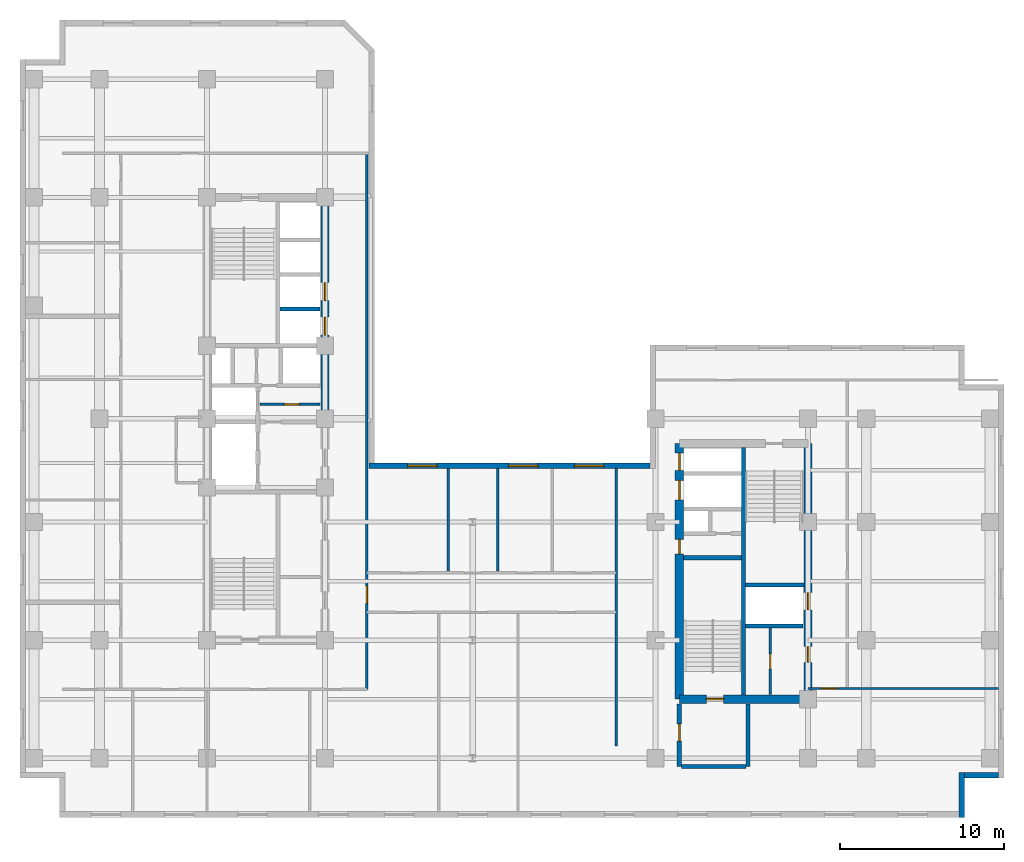
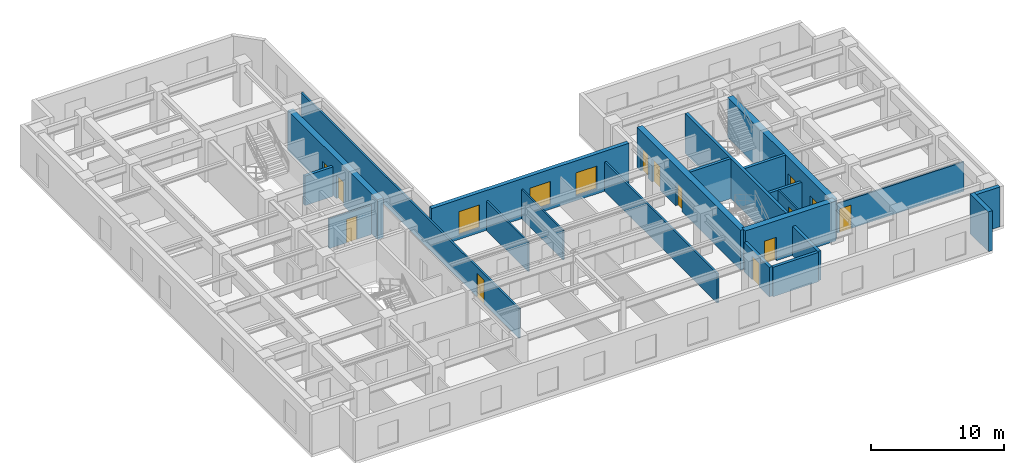
# One storey, part 5 of 10: 22 walls, 13 doors, 3 windows, 16 openings.
"""IFC4 building model written with IfcOpenShell, lengths in metres."""

from ifc_helpers import new_model, entity, si_unit, converted_unit, direction, frame, origin_with_axes, origin_2d_with_axis, place, context, subcontext, project, spatial, polyline, rectangle, outline, extrude, material, layer, layer_set, type_object, element, fill, save


model = new_model("IFC4")

# Units and contexts
model_context = context("Model", 3, precision=1e-05, world=origin_with_axes(), true_north=direction((0.0, 1.0)))
body_context = subcontext(model_context, "Body", "Model", "MODEL_VIEW")
ifc_project = project(units=[si_unit("LENGTHUNIT", "METRE"), si_unit("AREAUNIT", "SQUARE_METRE"), si_unit("VOLUMEUNIT", "CUBIC_METRE"), converted_unit("PLANEANGLEUNIT", "DEGREE", entity("IfcPlaneAngleMeasure", 0.017453292519943295), si_unit("PLANEANGLEUNIT", "RADIAN"), dimensions=[0, 0, 0, 0, 0, 0, 0]), si_unit("MASSUNIT", "GRAM", prefix="KILO"), si_unit("THERMODYNAMICTEMPERATUREUNIT", "KELVIN")], contexts=[model_context])

# Site, building, storey
site_placement = place(None, origin_with_axes())
site = spatial("IfcSite", under=ifc_project, at=site_placement, CompositionType="ELEMENT")
building_placement = place(site_placement, origin_with_axes())
building = spatial("IfcBuilding", under=site, at=building_placement, Name="Varnlund Millrace Tower", CompositionType="ELEMENT")
storey_placement = place(building_placement, frame((0.0, 0.0, 129.0), z_axis=(0.0, 0.0, 1.0), x_axis=(1.0, 0.0, 0.0)))
storey = spatial("IfcBuildingStorey", under=building, at=storey_placement, Name="L31", CompositionType="ELEMENT", Elevation=129.0)

# Wall, openings, doors
ifc_material_1 = material(Name="Concrete C70/85", Category="concrete")
ifc_layer_1 = layer(ifc_material_1, 0.5, Name="Concrete C70/85")
ifc_layer_set_1 = layer_set([ifc_layer_1], Name="Concrete C70/85")
wall_type_1 = type_object("IfcWallType", Name="Type-CoreWall-Shear-500-C70", PredefinedType="SHEAR", material=ifc_layer_set_1)
wall_1_placement = place(storey_placement, frame((18.6, 24.3, 0.0), z_axis=(0.0, 0.0, 1.0), x_axis=(0.0, 1.0, 0.0)))
wall_1 = element("IfcWall", 1, at=wall_1_placement, inside=storey, type_object=wall_type_1, Name="Type-CoreWall-Shear-500-C70", PredefinedType="SHEAR", context=body_context, shape_type="SweptSolid", body=[
    extrude(outline(polyline([(0.0, -0.25), (13.5, -0.25), (13.5, 0.25), (0.0, 0.25), (0.0, -0.25)])), origin_with_axes(), (0.0, 0.0, 1.0), 3.66),
])
opening_1_placement = place(wall_1_placement, frame((5.65, 0.0, 0.0), z_axis=(0.0, 0.0, 1.0), x_axis=(1.0, 0.0, 0.0)))
opening_1 = element("IfcOpeningElement", 2, at=opening_1_placement, cuts=wall_1, Name="Opening L31:LD-ELV-M1", PredefinedType="OPENING", context=body_context, shape_type="SweptSolid", body=[
    extrude(rectangle(XDim=1.1, YDim=0.52, at=origin_2d_with_axis()), origin_with_axes(), (0.0, 0.0, 1.0), 2.15),
])
opening_2_placement = place(wall_1_placement, frame((7.75, 0.0, 0.0), z_axis=(0.0, 0.0, 1.0), x_axis=(1.0, 0.0, 0.0)))
opening_2 = element("IfcOpeningElement", 3, at=opening_2_placement, cuts=wall_1, Name="Opening L31:LD-ELV-M2", PredefinedType="OPENING", context=body_context, shape_type="SweptSolid", body=[
    extrude(rectangle(XDim=1.1, YDim=0.52, at=origin_2d_with_axis()), origin_with_axes(), (0.0, 0.0, 1.0), 2.15),
])
ifc_material_2 = material(Name="Stainless and architectural bronze sliding landing door")
door_type_1 = type_object("IfcDoorType", Name="Type-LiftLandingDoor-1100X2150", OperationType="NOTDEFINED", PredefinedType="DOOR", material=ifc_material_2)
door_1_placement = place(wall_1_placement, frame((5.65, 0.0, 0.0), z_axis=(0.0, 0.0, 1.0), x_axis=(1.0, 0.0, 0.0)))
door_1 = element("IfcDoor", 4, at=door_1_placement, inside=storey, type_object=door_type_1, Name="Type-LiftLandingDoor-1100X2150", OperationType="SLIDING_TO_LEFT", OverallHeight=2.15, OverallWidth=1.1, PredefinedType="DOOR", context=body_context, shape_type="SweptSolid", body=[
    extrude(rectangle(XDim=1.1, YDim=0.09, at=origin_2d_with_axis()), origin_with_axes(), (0.0, 0.0, 1.0), 2.15),
])
fill(opening_1, door_1)
door_2_placement = place(wall_1_placement, frame((7.75, 0.0, 0.0), z_axis=(0.0, 0.0, 1.0), x_axis=(1.0, 0.0, 0.0)))
door_2 = element("IfcDoor", 5, at=door_2_placement, inside=storey, type_object=door_type_1, Name="Type-LiftLandingDoor-1100X2150", OperationType="SLIDING_TO_RIGHT", OverallHeight=2.15, OverallWidth=1.1, PredefinedType="DOOR", context=body_context, shape_type="SweptSolid", body=[
    extrude(rectangle(XDim=1.1, YDim=0.09, at=origin_2d_with_axis()), origin_with_axes(), (0.0, 0.0, 1.0), 2.15),
])
fill(opening_2, door_2)

wall_2_placement = place(storey_placement, frame((40.2, 7.2, 0.0), z_axis=(0.0, 0.0, 1.0), x_axis=(0.0, 1.0, 0.0)))
wall_2 = element("IfcWall", 6, at=wall_2_placement, inside=storey, type_object=wall_type_1, Name="Type-CoreWall-Shear-500-C70", PredefinedType="SHEAR", context=body_context, shape_type="SweptSolid", body=[
    extrude(outline(polyline([(0.0, -0.25), (15.6, -0.25), (15.6, 0.25), (0.0, 0.25), (0.0, -0.25)])), origin_with_axes(), (0.0, 0.0, 1.0), 3.66),
])
opening_3_placement = place(wall_2_placement, frame((14.475, 0.0, 0.0), z_axis=(0.0, 0.0, 1.0), x_axis=(1.0, 0.0, 0.0)))
opening_3 = element("IfcOpeningElement", 7, at=opening_3_placement, cuts=wall_2, Name="Opening L31:LD-ELV-M4", PredefinedType="OPENING", context=body_context, shape_type="SweptSolid", body=[
    extrude(rectangle(XDim=1.05, YDim=0.52, at=origin_2d_with_axis()), origin_with_axes(), (0.0, 0.0, 1.0), 2.15),
])
opening_4_placement = place(wall_2_placement, frame((12.75, 0.0, 0.0), z_axis=(0.0, 0.0, 1.0), x_axis=(1.0, 0.0, 0.0)))
opening_4 = element("IfcOpeningElement", 8, at=opening_4_placement, cuts=wall_2, Name="Opening L31:LD-SRV2", PredefinedType="OPENING", context=body_context, shape_type="SweptSolid", body=[
    extrude(rectangle(XDim=1.2, YDim=0.52, at=origin_2d_with_axis()), origin_with_axes(), (0.0, 0.0, 1.0), 2.15),
])
opening_5_placement = place(wall_2_placement, frame((9.3, 0.0, 0.0), z_axis=(0.0, 0.0, 1.0), x_axis=(1.0, 0.0, 0.0)))
opening_5 = element("IfcOpeningElement", 9, at=opening_5_placement, cuts=wall_2, Name="Opening L31:DR-CB-JAN", PredefinedType="OPENING", context=body_context, shape_type="SweptSolid", body=[
    extrude(rectangle(XDim=0.9, YDim=0.52, at=origin_2d_with_axis()), origin_with_axes(), (0.0, 0.0, 1.0), 2.15),
])
ifc_material_3 = material(Name="Fire-rated hollow steel service closet door", Category="steel")
door_type_2 = type_object("IfcDoorType", Name="Type-FireDoor-Closet-900X2150", OperationType="NOTDEFINED", PredefinedType="DOOR", material=ifc_material_3)
door_3_placement = place(wall_2_placement, frame((9.3, 0.0, 0.0), z_axis=(0.0, 0.0, 1.0), x_axis=(1.0, 0.0, 0.0)))
door_3 = element("IfcDoor", 10, at=door_3_placement, inside=storey, type_object=door_type_2, Name="Type-FireDoor-Closet-900X2150", OperationType="SINGLE_SWING_RIGHT", OverallHeight=2.15, OverallWidth=0.9, PredefinedType="DOOR", context=body_context, shape_type="SweptSolid", body=[
    extrude(rectangle(XDim=0.9, YDim=0.09, at=origin_2d_with_axis()), origin_with_axes(), (0.0, 0.0, 1.0), 2.15),
])
fill(opening_5, door_3)
ifc_material_4 = material(Name="Architectural bronze sliding landing door")
door_type_3 = type_object("IfcDoorType", Name="Type-LiftLandingDoor-Compact-1050X2150", OperationType="NOTDEFINED", PredefinedType="DOOR", material=ifc_material_4)
door_4_placement = place(wall_2_placement, frame((14.475, 0.0, 0.0), z_axis=(0.0, 0.0, 1.0), x_axis=(1.0, 0.0, 0.0)))
door_4 = element("IfcDoor", 11, at=door_4_placement, inside=storey, type_object=door_type_3, Name="Type-LiftLandingDoor-Compact-1050X2150", OperationType="SLIDING_TO_RIGHT", OverallHeight=2.15, OverallWidth=1.05, PredefinedType="DOOR", context=body_context, shape_type="SweptSolid", body=[
    extrude(rectangle(XDim=1.05, YDim=0.09, at=origin_2d_with_axis()), origin_with_axes(), (0.0, 0.0, 1.0), 2.15),
])
fill(opening_3, door_4)
ifc_material_5 = material(Name="Heavy-duty freight sliding landing door")
door_type_4 = type_object("IfcDoorType", Name="Type-LiftLandingDoor-Service-1200X2150", OperationType="NOTDEFINED", PredefinedType="DOOR", material=ifc_material_5)
door_5_placement = place(wall_2_placement, frame((12.75, 0.0, 0.0), z_axis=(0.0, 0.0, 1.0), x_axis=(1.0, 0.0, 0.0)))
door_5 = element("IfcDoor", 12, at=door_5_placement, inside=storey, type_object=door_type_4, Name="Type-LiftLandingDoor-Service-1200X2150", OperationType="DOUBLE_DOOR_SLIDING", OverallHeight=2.15, OverallWidth=1.2, PredefinedType="DOOR", context=body_context, shape_type="SweptSolid", body=[
    extrude(rectangle(XDim=1.2, YDim=0.09, at=origin_2d_with_axis()), origin_with_axes(), (0.0, 0.0, 1.0), 2.15),
])
fill(opening_4, door_5)

# Wall, opening, door
wall_3_placement = place(storey_placement, frame((40.2, 7.2, 0.0), z_axis=(0.0, 0.0, 1.0), x_axis=(1.0, 0.0, 0.0)))
wall_3 = element("IfcWall", 13, at=wall_3_placement, inside=storey, type_object=wall_type_1, Name="Type-CoreWall-Shear-500-C70", PredefinedType="SHEAR", context=body_context, shape_type="SweptSolid", body=[
    extrude(outline(polyline([(0.0, -0.25), (7.85, -0.25), (7.85, 0.25), (0.0, 0.25), (0.0, -0.25)])), origin_with_axes(), (0.0, 0.0, 1.0), 3.66),
])
opening_6_placement = place(wall_3_placement, frame((2.175, 0.0, 0.0), z_axis=(0.0, 0.0, 1.0), x_axis=(1.0, 0.0, 0.0)))
opening_6 = element("IfcOpeningElement", 14, at=opening_6_placement, cuts=wall_3, Name="Opening L31:DR-STB1", PredefinedType="OPENING", context=body_context, shape_type="SweptSolid", body=[
    extrude(rectangle(XDim=1.05, YDim=0.52, at=origin_2d_with_axis()), origin_with_axes(), (0.0, 0.0, 1.0), 2.15),
])
ifc_material_6 = material(Name="Fire-rated hollow steel door", Category="steel")
door_type_5 = type_object("IfcDoorType", Name="Type-FireDoor-Stair-1050X2150", OperationType="NOTDEFINED", PredefinedType="DOOR", material=ifc_material_6)
door_6_placement = place(wall_3_placement, frame((2.175, 0.0, 0.0), z_axis=(0.0, 0.0, 1.0), x_axis=(1.0, 0.0, 0.0)))
door_6 = element("IfcDoor", 15, at=door_6_placement, inside=storey, type_object=door_type_5, Name="Type-FireDoor-Stair-1050X2150", OperationType="SINGLE_SWING_LEFT", OverallHeight=2.15, OverallWidth=1.05, PredefinedType="DOOR", context=body_context, shape_type="SweptSolid", body=[
    extrude(rectangle(XDim=1.05, YDim=0.09, at=origin_2d_with_axis()), origin_with_axes(), (0.0, 0.0, 1.0), 2.15),
])
fill(opening_6, door_6)

# Wall, openings, doors
wall_4_placement = place(storey_placement, frame((48.05, 7.2, 0.0), z_axis=(0.0, 0.0, 1.0), x_axis=(0.0, 1.0, 0.0)))
wall_4 = element("IfcWall", 16, at=wall_4_placement, inside=storey, type_object=wall_type_1, Name="Type-CoreWall-Shear-500-C70", PredefinedType="SHEAR", context=body_context, shape_type="SweptSolid", body=[
    extrude(outline(polyline([(0.0, -0.25), (15.6, -0.25), (15.6, 0.25), (0.0, 0.25), (0.0, -0.25)])), origin_with_axes(), (0.0, 0.0, 1.0), 3.66),
])
opening_7_placement = place(wall_4_placement, frame((5.975, 0.0, 0.0), z_axis=(0.0, 0.0, 1.0), x_axis=(1.0, 0.0, 0.0)))
opening_7 = element("IfcOpeningElement", 17, at=opening_7_placement, cuts=wall_4, Name="Opening L31:LD-ELV-M3", PredefinedType="OPENING", context=body_context, shape_type="SweptSolid", body=[
    extrude(rectangle(XDim=1.05, YDim=0.52, at=origin_2d_with_axis()), origin_with_axes(), (0.0, 0.0, 1.0), 2.15),
])
opening_8_placement = place(wall_4_placement, frame((2.725, 0.0, 0.0), z_axis=(0.0, 0.0, 1.0), x_axis=(1.0, 0.0, 0.0)))
opening_8 = element("IfcOpeningElement", 18, at=opening_8_placement, cuts=wall_4, Name="Opening L31:DR-CB-WC2", PredefinedType="OPENING", context=body_context, shape_type="SweptSolid", body=[
    extrude(rectangle(XDim=0.95, YDim=0.52, at=origin_2d_with_axis()), origin_with_axes(), (0.0, 0.0, 1.0), 2.15),
])
ifc_material_7 = material(Name="Fire-rated hollow steel core service door", Category="steel")
door_type_6 = type_object("IfcDoorType", Name="Type-FireDoor-Service-950X2150", OperationType="NOTDEFINED", PredefinedType="DOOR", material=ifc_material_7)
door_7_placement = place(wall_4_placement, frame((2.725, 0.0, 0.0), z_axis=(0.0, 0.0, 1.0), x_axis=(1.0, 0.0, 0.0)))
door_7 = element("IfcDoor", 19, at=door_7_placement, inside=storey, type_object=door_type_6, Name="Type-FireDoor-Service-950X2150", OperationType="SINGLE_SWING_LEFT", OverallHeight=2.15, OverallWidth=0.95, PredefinedType="DOOR", context=body_context, shape_type="SweptSolid", body=[
    extrude(rectangle(XDim=0.95, YDim=0.09, at=origin_2d_with_axis()), origin_with_axes(), (0.0, 0.0, 1.0), 2.15),
])
fill(opening_8, door_7)
door_8_placement = place(wall_4_placement, frame((5.975, 0.0, 0.0), z_axis=(0.0, 0.0, 1.0), x_axis=(1.0, 0.0, 0.0)))
door_8 = element("IfcDoor", 20, at=door_8_placement, inside=storey, type_object=door_type_3, Name="Type-LiftLandingDoor-Compact-1050X2150", OperationType="SLIDING_TO_LEFT", OverallHeight=2.15, OverallWidth=1.05, PredefinedType="DOOR", context=body_context, shape_type="SweptSolid", body=[
    extrude(rectangle(XDim=1.05, YDim=0.09, at=origin_2d_with_axis()), origin_with_axes(), (0.0, 0.0, 1.0), 2.15),
])
fill(opening_7, door_8)

# Walls
ifc_material_8 = material(Name="Precast concrete C50/60", Category="concrete")
ifc_layer_2 = layer(ifc_material_8, 0.34, Name="Precast concrete C50/60")
ifc_layer_set_2 = layer_set([ifc_layer_2], Name="Precast concrete C50/60")
wall_type_2 = type_object("IfcWallType", Name="Type-ExtWall-Precast-Upper-340", PredefinedType="SOLIDWALL", material=ifc_layer_set_2)
wall_5_placement = place(storey_placement, frame((59.66, 2.57, 0.0), z_axis=(0.0, 0.0, 1.0), x_axis=(-1.0, 0.0, 0.0)))
element("IfcWall", 21, at=wall_5_placement, inside=storey, type_object=wall_type_2, Name="Type-ExtWall-Precast-Upper-340", PredefinedType="SOLIDWALL", context=body_context, shape_type="SweptSolid", body=[
    extrude(outline(polyline([(0.0, -0.17), (2.06, -0.17), (2.06, 0.17), (0.0, 0.17), (0.0, -0.17)])), origin_with_axes(), (0.0, 0.0, 1.0), 3.66),
])
wall_6_placement = place(storey_placement, frame((57.43, 2.74, 0.0), z_axis=(0.0, 0.0, 1.0), x_axis=(0.0, -1.0, 0.0)))
element("IfcWall", 22, at=wall_6_placement, inside=storey, type_object=wall_type_2, Name="Type-ExtWall-Precast-Upper-340", PredefinedType="SOLIDWALL", context=body_context, shape_type="SweptSolid", body=[
    extrude(outline(polyline([(0.0, -0.17), (2.74, -0.17), (2.74, 0.17), (0.0, 0.17), (0.0, -0.17)])), origin_with_axes(), (0.0, 0.0, 1.0), 3.66),
])

# Wall, openings, windows
wall_7_placement = place(storey_placement, frame((21.288, 21.43, 0.0), z_axis=(0.0, 0.0, 1.0), x_axis=(1.0, 0.0, 0.0)))
wall_7 = element("IfcWall", 23, at=wall_7_placement, inside=storey, type_object=wall_type_2, Name="Type-ExtWall-Precast-Upper-340", PredefinedType="SOLIDWALL", context=body_context, shape_type="SweptSolid", body=[
    extrude(outline(polyline([(0.0, -0.17), (17.112, -0.17), (17.112, 0.17), (0.0, 0.17), (0.0, -0.17)])), origin_with_axes(), (0.0, 0.0, 1.0), 3.66),
])
opening_9_placement = place(wall_7_placement, frame((3.252, 0.0, 0.45), z_axis=(0.0, 0.0, 1.0), x_axis=(1.0, 0.0, 0.0)))
opening_9 = element("IfcOpeningElement", 24, at=opening_9_placement, cuts=wall_7, Name="Opening L31:WN-30", PredefinedType="OPENING", context=body_context, shape_type="SweptSolid", body=[
    extrude(rectangle(XDim=1.8, YDim=0.36, at=origin_2d_with_axis()), origin_with_axes(), (0.0, 0.0, 1.0), 2.1),
])
opening_10_placement = place(wall_7_placement, frame((9.406, 0.0, 0.45), z_axis=(0.0, 0.0, 1.0), x_axis=(1.0, 0.0, 0.0)))
opening_10 = element("IfcOpeningElement", 25, at=opening_10_placement, cuts=wall_7, Name="Opening L31:WN-31", PredefinedType="OPENING", context=body_context, shape_type="SweptSolid", body=[
    extrude(rectangle(XDim=1.8, YDim=0.36, at=origin_2d_with_axis()), origin_with_axes(), (0.0, 0.0, 1.0), 2.1),
])
opening_11_placement = place(wall_7_placement, frame((13.41, 0.0, 0.45), z_axis=(0.0, 0.0, 1.0), x_axis=(1.0, 0.0, 0.0)))
opening_11 = element("IfcOpeningElement", 26, at=opening_11_placement, cuts=wall_7, Name="Opening L31:WN-32", PredefinedType="OPENING", context=body_context, shape_type="SweptSolid", body=[
    extrude(rectangle(XDim=1.8, YDim=0.36, at=origin_2d_with_axis()), origin_with_axes(), (0.0, 0.0, 1.0), 2.1),
])
ifc_material_9 = material(Name="Argon low-e triple glazing in thermally broken bronze frame", Category="glass")
window_type = type_object("IfcWindowType", Name="Type-Window-Punched-1800X2100", PartitioningType="SINGLE_PANEL", PredefinedType="WINDOW", material=ifc_material_9)
window_1_placement = place(wall_7_placement, frame((3.252, 0.0, 0.45), z_axis=(0.0, 0.0, 1.0), x_axis=(1.0, 0.0, 0.0)))
window_1 = element("IfcWindow", 27, at=window_1_placement, inside=storey, type_object=window_type, Name="Type-Window-Punched-1800X2100", OverallHeight=2.1, OverallWidth=1.8, PredefinedType="WINDOW", context=body_context, shape_type="SweptSolid", body=[
    extrude(rectangle(XDim=1.8, YDim=0.09, at=origin_2d_with_axis()), origin_with_axes(), (0.0, 0.0, 1.0), 2.1),
])
fill(opening_9, window_1)
window_2_placement = place(wall_7_placement, frame((9.406, 0.0, 0.45), z_axis=(0.0, 0.0, 1.0), x_axis=(1.0, 0.0, 0.0)))
window_2 = element("IfcWindow", 28, at=window_2_placement, inside=storey, type_object=window_type, Name="Type-Window-Punched-1800X2100", OverallHeight=2.1, OverallWidth=1.8, PredefinedType="WINDOW", context=body_context, shape_type="SweptSolid", body=[
    extrude(rectangle(XDim=1.8, YDim=0.09, at=origin_2d_with_axis()), origin_with_axes(), (0.0, 0.0, 1.0), 2.1),
])
fill(opening_10, window_2)
window_3_placement = place(wall_7_placement, frame((13.41, 0.0, 0.45), z_axis=(0.0, 0.0, 1.0), x_axis=(1.0, 0.0, 0.0)))
window_3 = element("IfcWindow", 29, at=window_3_placement, inside=storey, type_object=window_type, Name="Type-Window-Punched-1800X2100", OverallHeight=2.1, OverallWidth=1.8, PredefinedType="WINDOW", context=body_context, shape_type="SweptSolid", body=[
    extrude(rectangle(XDim=1.8, YDim=0.09, at=origin_2d_with_axis()), origin_with_axes(), (0.0, 0.0, 1.0), 2.1),
])
fill(opening_11, window_3)

# Wall, opening, door
ifc_material_10 = material(Name="Fire-rated gypsum board on cold-formed steel framing", Category="steel")
ifc_layer_3 = layer(ifc_material_10, 0.16, Name="Fire-rated gypsum board on cold-formed steel framing")
ifc_layer_set_3 = layer_set([ifc_layer_3], Name="Fire-rated gypsum board on cold-formed steel framing")
wall_type_3 = type_object("IfcWallType", Name="Type-Partition-Corridor-160", PredefinedType="PARTITIONING", material=ifc_layer_set_3)
wall_8_placement = place(storey_placement, frame((14.62, 25.18, 0.0), z_axis=(0.0, 0.0, 1.0), x_axis=(1.0, 0.0, 0.0)))
wall_8 = element("IfcWall", 30, at=wall_8_placement, inside=storey, type_object=wall_type_3, Name="Type-Partition-Corridor-160", PredefinedType="PARTITIONING", context=body_context, shape_type="SweptSolid", body=[
    extrude(outline(polyline([(0.0, -0.08), (3.68, -0.08), (3.68, 0.08), (0.0, 0.08), (0.0, -0.08)])), origin_with_axes(), (0.0, 0.0, 1.0), 2.7),
])
opening_12_placement = place(wall_8_placement, frame((1.95, 0.0, 0.0), z_axis=(0.0, 0.0, 1.0), x_axis=(1.0, 0.0, 0.0)))
opening_12 = element("IfcOpeningElement", 31, at=opening_12_placement, cuts=wall_8, Name="Opening L31:DR-CA-SUB2", PredefinedType="OPENING", context=body_context, shape_type="SweptSolid", body=[
    extrude(rectangle(XDim=0.9, YDim=0.18, at=origin_2d_with_axis()), origin_with_axes(), (0.0, 0.0, 1.0), 2.15),
])
ifc_material_11 = material(Name="Painted steel riser and closet door", Category="steel")
door_type_7 = type_object("IfcDoorType", Name="Type-IntDoor-Closet-900X2150", OperationType="NOTDEFINED", PredefinedType="DOOR", material=ifc_material_11)
door_9_placement = place(wall_8_placement, frame((1.95, 0.0, 0.0), z_axis=(0.0, 0.0, 1.0), x_axis=(1.0, 0.0, 0.0)))
door_9 = element("IfcDoor", 32, at=door_9_placement, inside=storey, type_object=door_type_7, Name="Type-IntDoor-Closet-900X2150", OperationType="SINGLE_SWING_LEFT", OverallHeight=2.15, OverallWidth=0.9, PredefinedType="DOOR", context=body_context, shape_type="SweptSolid", body=[
    extrude(rectangle(XDim=0.9, YDim=0.09, at=origin_2d_with_axis()), origin_with_axes(), (0.0, 0.0, 1.0), 2.15),
])
fill(opening_12, door_9)

wall_9_placement = place(storey_placement, frame((21.15, 7.8, 0.0), z_axis=(0.0, 0.0, 1.0), x_axis=(0.0, 1.0, 0.0)))
wall_9 = element("IfcWall", 33, at=wall_9_placement, inside=storey, type_object=wall_type_3, Name="Type-Partition-Corridor-160", PredefinedType="PARTITIONING", context=body_context, shape_type="SweptSolid", body=[
    extrude(outline(polyline([(0.0, -0.08), (32.7, -0.08), (32.7, 0.08), (0.0, 0.08), (0.0, -0.08)])), origin_with_axes(), (0.0, 0.0, 1.0), 2.7),
])
opening_13_placement = place(wall_9_placement, frame((5.775, 0.0, 0.0), z_axis=(0.0, 0.0, 1.0), x_axis=(1.0, 0.0, 0.0)))
opening_13 = element("IfcOpeningElement", 34, at=opening_13_placement, cuts=wall_9, Name="Opening L31:DR-KN-W", PredefinedType="OPENING", context=body_context, shape_type="SweptSolid", body=[
    extrude(rectangle(XDim=1.05, YDim=0.18, at=origin_2d_with_axis()), origin_with_axes(), (0.0, 0.0, 1.0), 2.15),
])
ifc_material_12 = material(Name="Smoke-barrier hollow steel fire door", Category="steel")
door_type_8 = type_object("IfcDoorType", Name="Type-FireDoor-Lobby-1050X2150", OperationType="NOTDEFINED", PredefinedType="DOOR", material=ifc_material_12)
door_10_placement = place(wall_9_placement, frame((5.775, 0.0, 0.0), z_axis=(0.0, 0.0, 1.0), x_axis=(1.0, 0.0, 0.0)))
door_10 = element("IfcDoor", 35, at=door_10_placement, inside=storey, type_object=door_type_8, Name="Type-FireDoor-Lobby-1050X2150", OperationType="SINGLE_SWING_LEFT", OverallHeight=2.15, OverallWidth=1.05, PredefinedType="DOOR", context=body_context, shape_type="SweptSolid", body=[
    extrude(rectangle(XDim=1.05, YDim=0.09, at=origin_2d_with_axis()), origin_with_axes(), (0.0, 0.0, 1.0), 2.15),
])
fill(opening_13, door_10)

# Walls
wall_10_placement = place(storey_placement, frame((36.35, 4.35, 0.0), z_axis=(0.0, 0.0, 1.0), x_axis=(0.0, 1.0, 0.0)))
element("IfcWall", 36, at=wall_10_placement, inside=storey, type_object=wall_type_3, Name="Type-Partition-Corridor-160", PredefinedType="PARTITIONING", context=body_context, shape_type="SweptSolid", body=[
    extrude(outline(polyline([(0.0, -0.08), (16.95, -0.08), (16.95, 0.08), (0.0, 0.08), (0.0, -0.08)])), origin_with_axes(), (0.0, 0.0, 1.0), 2.7),
])
ifc_material_13 = material(Name="Acoustic STC-50 gypsum board partition", Category="gypsum")
ifc_layer_4 = layer(ifc_material_13, 0.15, Name="Acoustic STC-50 gypsum board partition")
ifc_layer_set_4 = layer_set([ifc_layer_4], Name="Acoustic STC-50 gypsum board partition")
wall_type_4 = type_object("IfcWallType", Name="Type-Partition-Demising-150", PredefinedType="PARTITIONING", material=ifc_layer_set_4)
wall_11_placement = place(storey_placement, frame((26.099, 15.02, 0.0), z_axis=(0.0, 0.0, 1.0), x_axis=(0.0, 1.0, 0.0)))
element("IfcWall", 37, at=wall_11_placement, inside=storey, type_object=wall_type_4, Name="Type-Partition-Demising-150", PredefinedType="PARTITIONING", context=body_context, shape_type="SweptSolid", body=[
    extrude(outline(polyline([(0.0, -0.075), (6.245, -0.075), (6.245, 0.075), (0.0, 0.075), (0.0, -0.075)])), origin_with_axes(), (0.0, 0.0, 1.0), 2.7),
])
ifc_material_14 = material(Name="Gypsum board tenant partition", Category="gypsum")
ifc_layer_5 = layer(ifc_material_14, 0.125, Name="Gypsum board tenant partition")
ifc_layer_set_5 = layer_set([ifc_layer_5], Name="Gypsum board tenant partition")
wall_type_5 = type_object("IfcWallType", Name="Type-Partition-Tenant-125", PredefinedType="PARTITIONING", material=ifc_layer_set_5)
wall_12_placement = place(storey_placement, frame((29.132, 15.02, 0.0), z_axis=(0.0, 0.0, 1.0), x_axis=(0.0, 1.0, 0.0)))
element("IfcWall", 38, at=wall_12_placement, inside=storey, type_object=wall_type_5, Name="Type-Partition-Tenant-125", PredefinedType="PARTITIONING", context=body_context, shape_type="SweptSolid", body=[
    extrude(outline(polyline([(0.0, -0.0625), (6.245, -0.0625), (6.245, 0.0625), (0.0, 0.0625), (0.0, -0.0625)])), origin_with_axes(), (0.0, 0.0, 1.0), 2.7),
])

# Wall, opening, door
wall_13_placement = place(storey_placement, frame((59.665, 7.85, 0.0), z_axis=(0.0, 0.0, 1.0), x_axis=(-1.0, 0.0, 0.0)))
wall_13 = element("IfcWall", 39, at=wall_13_placement, inside=storey, type_object=wall_type_5, Name="Type-Partition-Tenant-125", PredefinedType="PARTITIONING", context=body_context, shape_type="SweptSolid", body=[
    extrude(outline(polyline([(0.0, -0.0625), (11.615, -0.0625), (11.615, 0.0625), (0.0, 0.0625), (0.0, -0.0625)])), origin_with_axes(), (0.0, 0.0, 1.0), 2.7),
])
opening_14_placement = place(wall_13_placement, frame((10.315, 0.0, 0.0), z_axis=(0.0, 0.0, 1.0), x_axis=(1.0, 0.0, 0.0)))
opening_14 = element("IfcOpeningElement", 40, at=opening_14_placement, cuts=wall_13, Name="Opening L31:DR-WBS-01", PredefinedType="OPENING", context=body_context, shape_type="SweptSolid", body=[
    extrude(rectangle(XDim=1.0, YDim=0.145, at=origin_2d_with_axis()), origin_with_axes(), (0.0, 0.0, 1.0), 2.15),
])
ifc_material_15 = material(Name="Solid-core white oak and bronze frame door")
door_type_9 = type_object("IfcDoorType", Name="Type-IntDoor-Office-1000X2150", OperationType="NOTDEFINED", PredefinedType="DOOR", material=ifc_material_15)
door_11_placement = place(wall_13_placement, frame((10.315, 0.0, 0.0), z_axis=(0.0, 0.0, 1.0), x_axis=(1.0, 0.0, 0.0)))
door_11 = element("IfcDoor", 41, at=door_11_placement, inside=storey, type_object=door_type_9, Name="Type-IntDoor-Office-1000X2150", OperationType="SINGLE_SWING_LEFT", OverallHeight=2.15, OverallWidth=1.0, PredefinedType="DOOR", context=body_context, shape_type="SweptSolid", body=[
    extrude(rectangle(XDim=1.0, YDim=0.075, at=origin_2d_with_axis()), origin_with_axes(), (0.0, 0.0, 1.0), 2.15),
])
fill(opening_14, door_11)

ifc_material_16 = material(Name="Moisture-resistant gypsum restroom partition", Category="gypsum")
ifc_layer_6 = layer(ifc_material_16, 0.14, Name="Moisture-resistant gypsum restroom partition")
ifc_layer_set_6 = layer_set([ifc_layer_6], Name="Moisture-resistant gypsum restroom partition")
wall_type_6 = type_object("IfcWallType", Name="Type-Partition-Wet-140", PredefinedType="PARTITIONING", material=ifc_layer_set_6)
wall_14_placement = place(storey_placement, frame((45.75, 7.5, 0.0), z_axis=(0.0, 0.0, 1.0), x_axis=(0.0, 1.0, 0.0)))
wall_14 = element("IfcWall", 42, at=wall_14_placement, inside=storey, type_object=wall_type_6, Name="Type-Partition-Wet-140", PredefinedType="PARTITIONING", context=body_context, shape_type="SweptSolid", body=[
    extrude(outline(polyline([(0.0, -0.07), (4.08, -0.07), (4.08, 0.07), (0.0, 0.07), (0.0, -0.07)])), origin_with_axes(), (0.0, 0.0, 1.0), 2.7),
])
opening_15_placement = place(wall_14_placement, frame((2.0, 0.0, 0.0), z_axis=(0.0, 0.0, 1.0), x_axis=(1.0, 0.0, 0.0)))
opening_15 = element("IfcOpeningElement", 43, at=opening_15_placement, cuts=wall_14, Name="Opening L31:DR-CB-WC1", PredefinedType="OPENING", context=body_context, shape_type="SweptSolid", body=[
    extrude(rectangle(XDim=0.9, YDim=0.16, at=origin_2d_with_axis()), origin_with_axes(), (0.0, 0.0, 1.0), 2.15),
])
door_12_placement = place(wall_14_placement, frame((2.0, 0.0, 0.0), z_axis=(0.0, 0.0, 1.0), x_axis=(1.0, 0.0, 0.0)))
door_12 = element("IfcDoor", 44, at=door_12_placement, inside=storey, type_object=door_type_7, Name="Type-IntDoor-Closet-900X2150", OperationType="SINGLE_SWING_LEFT", OverallHeight=2.15, OverallWidth=0.9, PredefinedType="DOOR", context=body_context, shape_type="SweptSolid", body=[
    extrude(rectangle(XDim=0.9, YDim=0.084, at=origin_2d_with_axis()), origin_with_axes(), (0.0, 0.0, 1.0), 2.15),
])
fill(opening_15, door_12)

ifc_material_17 = material(Name="Concrete C60/75", Category="concrete")
ifc_layer_7 = layer(ifc_material_17, 0.25, Name="Concrete C60/75")
ifc_layer_set_7 = layer_set([ifc_layer_7], Name="Concrete C60/75")
wall_type_7 = type_object("IfcWallType", Name="Type-ShaftWall-Fire-250", PredefinedType="SOLIDWALL", material=ifc_layer_set_7)
wall_15_placement = place(storey_placement, frame((40.2, 3.1, 0.0), z_axis=(0.0, 0.0, 1.0), x_axis=(0.0, 1.0, 0.0)))
wall_15 = element("IfcWall", 45, at=wall_15_placement, inside=storey, type_object=wall_type_7, Name="Type-ShaftWall-Fire-250", PredefinedType="SOLIDWALL", context=body_context, shape_type="SweptSolid", body=[
    extrude(outline(polyline([(0.0, -0.125), (3.8, -0.125), (3.8, 0.125), (0.0, 0.125), (0.0, -0.125)])), origin_with_axes(), (0.0, 0.0, 1.0), 2.7),
])
opening_16_placement = place(wall_15_placement, frame((2.075, 0.0, 0.0), z_axis=(0.0, 0.0, 1.0), x_axis=(1.0, 0.0, 0.0)))
opening_16 = element("IfcOpeningElement", 46, at=opening_16_placement, cuts=wall_15, Name="Opening L31:DR-FFLOB-B", PredefinedType="OPENING", context=body_context, shape_type="SweptSolid", body=[
    extrude(rectangle(XDim=1.05, YDim=0.27, at=origin_2d_with_axis()), origin_with_axes(), (0.0, 0.0, 1.0), 2.15),
])
door_13_placement = place(wall_15_placement, frame((2.075, 0.0, 0.0), z_axis=(0.0, 0.0, 1.0), x_axis=(1.0, 0.0, 0.0)))
door_13 = element("IfcDoor", 47, at=door_13_placement, inside=storey, type_object=door_type_8, Name="Type-FireDoor-Lobby-1050X2150", OperationType="SINGLE_SWING_LEFT", OverallHeight=2.15, OverallWidth=1.05, PredefinedType="DOOR", context=body_context, shape_type="SweptSolid", body=[
    extrude(rectangle(XDim=1.05, YDim=0.09, at=origin_2d_with_axis()), origin_with_axes(), (0.0, 0.0, 1.0), 2.15),
])
fill(opening_16, door_13)

# Walls
wall_16_placement = place(storey_placement, frame((40.325, 3.1, 0.0), z_axis=(0.0, 0.0, 1.0), x_axis=(1.0, 0.0, 0.0)))
element("IfcWall", 48, at=wall_16_placement, inside=storey, type_object=wall_type_7, Name="Type-ShaftWall-Fire-250", PredefinedType="SOLIDWALL", context=body_context, shape_type="SweptSolid", body=[
    extrude(outline(polyline([(0.0, -0.125), (3.95, -0.125), (3.95, 0.125), (0.0, 0.125), (0.0, -0.125)])), origin_with_axes(), (0.0, 0.0, 1.0), 2.7),
])
wall_17_placement = place(storey_placement, frame((44.4, 3.1, 0.0), z_axis=(0.0, 0.0, 1.0), x_axis=(0.0, 1.0, 0.0)))
element("IfcWall", 49, at=wall_17_placement, inside=storey, type_object=wall_type_7, Name="Type-ShaftWall-Fire-250", PredefinedType="SOLIDWALL", context=body_context, shape_type="SweptSolid", body=[
    extrude(outline(polyline([(0.0, -0.125), (3.8, -0.125), (3.8, 0.125), (0.0, 0.125), (0.0, -0.125)])), origin_with_axes(), (0.0, 0.0, 1.0), 2.7),
])
wall_18_placement = place(storey_placement, frame((15.84, 31.0, 0.0), z_axis=(0.0, 0.0, 1.0), x_axis=(1.0, 0.0, 0.0)))
element("IfcWall", 50, at=wall_18_placement, inside=storey, type_object=wall_type_7, Name="Type-ShaftWall-Fire-250", PredefinedType="SOLIDWALL", context=body_context, shape_type="SweptSolid", body=[
    extrude(outline(polyline([(0.0, -0.125), (2.46, -0.125), (2.46, 0.125), (0.0, 0.125), (0.0, -0.125)])), origin_with_axes(), (0.0, 0.0, 1.0), 2.7),
])
wall_19_placement = place(storey_placement, frame((44.25, 11.66, 0.0), z_axis=(0.0, 0.0, 1.0), x_axis=(1.0, 0.0, 0.0)))
element("IfcWall", 51, at=wall_19_placement, inside=storey, type_object=wall_type_7, Name="Type-ShaftWall-Fire-250", PredefinedType="SOLIDWALL", context=body_context, shape_type="SweptSolid", body=[
    extrude(outline(polyline([(0.0, -0.125), (3.5, -0.125), (3.5, 0.125), (0.0, 0.125), (0.0, -0.125)])), origin_with_axes(), (0.0, 0.0, 1.0), 2.7),
])
wall_type_8 = type_object("IfcWallType", Name="Type-StairWall-Shear-250", PredefinedType="SHEAR", material=ifc_layer_set_7)
wall_20_placement = place(storey_placement, frame((44.125, 7.45, 0.0), z_axis=(0.0, 0.0, 1.0), x_axis=(0.0, 1.0, 0.0)))
element("IfcWall", 52, at=wall_20_placement, inside=storey, type_object=wall_type_8, Name="Type-StairWall-Shear-250", PredefinedType="SHEAR", context=body_context, shape_type="SweptSolid", body=[
    extrude(outline(polyline([(0.0, -0.125), (15.1, -0.125), (15.1, 0.125), (0.0, 0.125), (0.0, -0.125)])), origin_with_axes(), (0.0, 0.0, 1.0), 3.66),
])
for number, where, z_axis, x_axis, name in (
    (53, (40.45, 15.825, 0.0), (0.0, 0.0, 1.0), (1.0, 0.0, 0.0), "Type-StairWall-Shear-250"),
    (54, (44.25, 14.175, 0.0), (0.0, 0.0, 1.0), (1.0, 0.0, 0.0), "Type-StairWall-Shear-250"),
):
    element("IfcWall", number, at=place(storey_placement, frame(where, z_axis=z_axis, x_axis=x_axis)), inside=storey, type_object=wall_type_8, Name=name, PredefinedType="SHEAR", context=body_context, shape_type="SweptSolid", body=[
        extrude(outline(polyline([(0.0, -0.125), (3.55, -0.125), (3.55, 0.125), (0.0, 0.125), (0.0, -0.125)])), origin_with_axes(), (0.0, 0.0, 1.0), 3.66),
    ])

save(model, "model.ifc")
